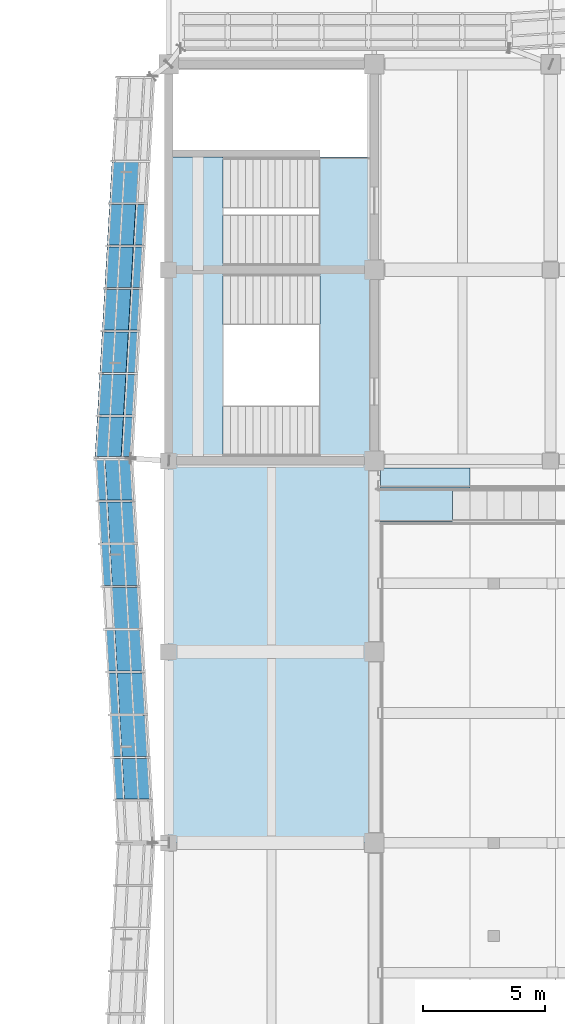
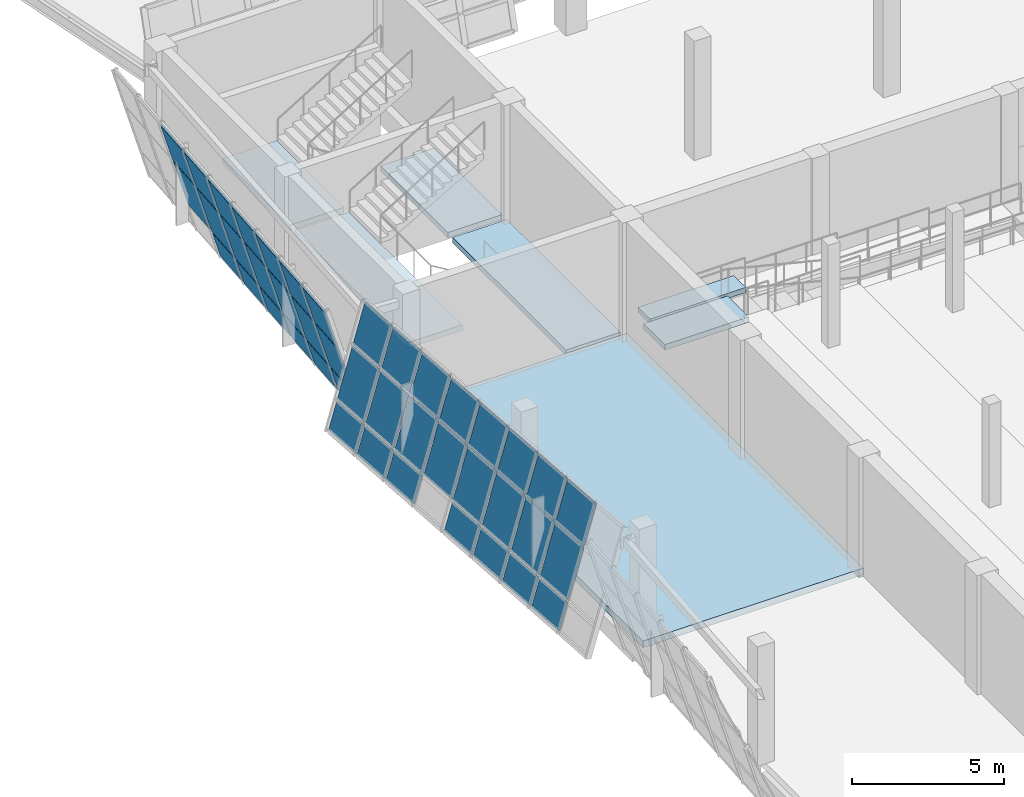
# One storey, part 53 of 79: 43 plates, 7 slabs, 4 elements without a shape of their own.
"""IFC4 building model written with IfcOpenShell, lengths in metres."""

import ifcopenshell
import ifcopenshell.guid

model = None  # the IFC model being written
_history = None  # IfcOwnerHistory: only IFC2X3 demands one
_inside = {}  # id of a spatial element -> (the spatial element, [elements in it])
_under = {}  # id of a project, library or spatial element -> (it, [spatial elements below it])
_declared = {}  # id of a project -> (the project, [libraries it declares])
_typed = {}  # id of a type object -> (the type object, [elements of that type])
_made_of = {}  # id of a material, layer set ... -> (it, [elements and type objects made of it])


def new_model(schema):
    """Start an empty IFC model of exactly this schema.

    Asked for "IFC4X3", IfcOpenShell would pick the latest addendum, in which some entities
    have other attributes; the version numbers below select the first issue.
    IFC2X3 requires an IfcOwnerHistory on every rooted entity: one is made here for all.
    """
    global model, _history
    if schema == "IFC4X3":
        model = ifcopenshell.file(schema_version=(4, 3, 0, 0))
    else:
        model = ifcopenshell.file(schema=schema)
    _inside.clear()
    _under.clear()
    _declared.clear()
    _typed.clear()
    _made_of.clear()
    _history = None
    if model.schema == "IFC2X3":
        org = make("IfcOrganization", Name="unknown")
        user = make(
            "IfcPersonAndOrganization",
            ThePerson=make("IfcPerson", FamilyName="unknown"),
            TheOrganization=org,
        )
        app = make(
            "IfcApplication",
            ApplicationDeveloper=org,
            Version="unknown",
            ApplicationFullName="unknown",
            ApplicationIdentifier="unknown",
        )
        _history = make(
            "IfcOwnerHistory",
            OwningUser=user,
            OwningApplication=app,
            ChangeAction="ADDED",
            CreationDate=0,
        )
    return model


def make(cls, **values):
    """One entity of the class cls with the attributes given. An attribute that is None is left unset."""
    return model.create_entity(
        cls, **{name: value for name, value in values.items() if value is not None}
    )


def rooted(cls, **values):
    """An entity with a GlobalId (a new one), such as an element, a storey or a relation."""
    return make(cls, GlobalId=ifcopenshell.guid.new(), OwnerHistory=_history, **values)


def si_unit(unit_type, name, prefix=None):
    """IfcSIUnit, for example si_unit("LENGTHUNIT", "METRE", prefix="MILLI")."""
    return make("IfcSIUnit", UnitType=unit_type, Prefix=prefix, Name=name)


def assignment(units):
    """IfcUnitAssignment: the units of a project."""
    return None if units is None else make("IfcUnitAssignment", Units=units)


def point(xyz):
    """IfcCartesianPoint."""
    return None if xyz is None else make("IfcCartesianPoint", Coordinates=xyz)


def direction(xyz):
    """IfcDirection."""
    return None if xyz is None else make("IfcDirection", DirectionRatios=xyz)


def frame(location, z_axis=None, x_axis=None):
    """IfcAxis2Placement3D, a coordinate frame: its origin and axes. An axis left out is left unset."""
    return make(
        "IfcAxis2Placement3D",
        Location=point(location),
        Axis=direction(z_axis),
        RefDirection=direction(x_axis),
    )


def origin():
    """The frame at (0, 0, 0) with its axes left unset."""
    return frame((0.0, 0.0, 0.0))


def place(relative_to, where):
    """IfcLocalPlacement: puts the frame where relative to a parent placement (None: the world)."""
    return make(
        "IfcLocalPlacement", PlacementRelTo=relative_to, RelativePlacement=where
    )


def context(
    kind, dimensions, precision=None, world=None, true_north=None, identifier=None
):
    """IfcGeometricRepresentationContext, for example the 3D "Model" context."""
    return make(
        "IfcGeometricRepresentationContext",
        ContextIdentifier=identifier,
        ContextType=kind,
        CoordinateSpaceDimension=dimensions,
        Precision=precision,
        WorldCoordinateSystem=world,
        TrueNorth=true_north,
    )


def subcontext(parent, identifier, kind, view, scale=None):
    """IfcGeometricRepresentationSubContext, for example "Body" below "Model"."""
    return make(
        "IfcGeometricRepresentationSubContext",
        ContextIdentifier=identifier,
        ContextType=kind,
        ParentContext=parent,
        TargetScale=scale,
        TargetView=view,
    )


def project(units=None, contexts=None):
    """IfcProject with its units and contexts."""
    return rooted(
        "IfcProject",
        Name="project",
        RepresentationContexts=contexts,
        UnitsInContext=assignment(units),
    )


def spatial(cls, under=None, at=None, **own):
    """A site, building, storey or space (cls), placed at a placement, below another one or the project."""
    s = rooted(cls, ObjectPlacement=at, **own)
    if under is not None:
        _under.setdefault(under.id(), (under, []))[1].append(s)
    return s


def polyline(points):
    """IfcPolyline through the points."""
    return make("IfcPolyline", Points=[point(p) for p in points])


def outline(outer, holes=None, kind="AREA"):
    """IfcArbitraryClosedProfileDef: a profile drawn as a closed curve; with holes, ...WithVoids."""
    if holes is None:
        return make("IfcArbitraryClosedProfileDef", ProfileType=kind, OuterCurve=outer)
    return make(
        "IfcArbitraryProfileDefWithVoids",
        ProfileType=kind,
        OuterCurve=outer,
        InnerCurves=holes,
    )


def extrude(swept, where, along, depth):
    """IfcExtrudedAreaSolid: the profile swept, set in the frame where, extruded along a direction by depth."""
    return make(
        "IfcExtrudedAreaSolid",
        SweptArea=swept,
        Position=where,
        ExtrudedDirection=direction(along),
        Depth=depth,
    )


def shape(context_of_items, identifier, shape_type, items):
    """IfcShapeRepresentation: the items that make up one representation, for example the "Body"."""
    return make(
        "IfcShapeRepresentation",
        ContextOfItems=context_of_items,
        RepresentationIdentifier=identifier,
        RepresentationType=shape_type,
        Items=items,
    )


def material(Name=None, Category=None):
    """IfcMaterial."""
    return make("IfcMaterial", Name=Name, Category=Category)


def layer(
    of_material, thickness, ventilated=None, Name=None, Category=None, Priority=None
):
    """IfcMaterialLayer: one layer of a wall or slab, of a material (None: an air gap)."""
    return make(
        "IfcMaterialLayer",
        Material=of_material,
        LayerThickness=thickness,
        IsVentilated=ventilated,
        Name=Name,
        Category=Category,
        Priority=Priority,
    )


def layer_set(layers, Name=None):
    """IfcMaterialLayerSet."""
    return make("IfcMaterialLayerSet", MaterialLayers=layers, LayerSetName=Name)


def made_of(thing, what):
    """Note that an element or type object is made of a material, layer set ...; save() writes the relation."""
    if what is not None:
        _made_of.setdefault(what.id(), (what, []))[1].append(thing)
    return thing


def type_object(cls, material=None, **own):
    """A type object (cls), such as IfcWallType, which elements share."""
    return made_of(rooted(cls, **own), material)


def element(
    cls,
    number,
    at=None,
    inside=None,
    cuts=None,
    type_object=None,
    material=None,
    context=None,
    identifier="Body",
    shape_type=None,
    held_by="IfcProductDefinitionShape",
    body=None,
    shapes=None,
    **own,
):
    """One element of the class cls, such as IfcWall. Its Tag is "e" and its number.

    at: its placement. inside: the storey or other place that contains it. cuts: it is an
    opening in that element (IfcRelVoidsElement). A single representation is given by context,
    identifier, shape_type and body (its items); several are given by shapes. held_by: the class
    of the entity that holds the representations. save() writes the other relations.
    """
    e = rooted(cls, Tag="e%d" % number, ObjectPlacement=at, **own)
    if body is not None:
        shapes = [shape(context, identifier, shape_type, body)]
    if shapes is not None:
        e.Representation = make(held_by, Representations=shapes)
    if inside is not None:
        _inside.setdefault(inside.id(), (inside, []))[1].append(e)
    if cuts is not None:
        rooted(
            "IfcRelVoidsElement", RelatingBuildingElement=cuts, RelatedOpeningElement=e
        )
    if type_object is not None:
        _typed.setdefault(type_object.id(), (type_object, []))[1].append(e)
    return made_of(e, material)


def aggregate(whole, parts):
    """IfcRelAggregates: a whole, such as a stair, and the parts it consists of."""
    return rooted("IfcRelAggregates", RelatingObject=whole, RelatedObjects=parts)


def save(model, path):
    """Write the relations noted so far, then the file.

    IfcRelAggregates (storeys below a building ...), IfcRelContainedInSpatialStructure (elements
    in a storey), IfcRelDefinesByType, IfcRelAssociatesMaterial and IfcRelDeclares: one each for
    every whole, place, type object, material and project.
    """
    for whole, parts in _under.values():
        aggregate(whole, parts)
    for where, things in _inside.values():
        rooted(
            "IfcRelContainedInSpatialStructure",
            RelatedElements=things,
            RelatingStructure=where,
        )
    for kind, things in _typed.values():
        rooted("IfcRelDefinesByType", RelatedObjects=things, RelatingType=kind)
    for what, things in _made_of.values():
        rooted("IfcRelAssociatesMaterial", RelatedObjects=things, RelatingMaterial=what)
    for by, libraries in _declared.values():
        rooted("IfcRelDeclares", RelatingContext=by, RelatedDefinitions=libraries)
    model.write(path)


model = new_model("IFC4")

# Units and contexts
model_context = context("Model", 3, precision=1e-05, world=origin(), true_north=direction((0.0, 1.0)))
body_context = subcontext(model_context, "Body", "Model", "MODEL_VIEW")
ifc_project = project(units=[si_unit("LENGTHUNIT", "METRE"), si_unit("AREAUNIT", "SQUARE_METRE"), si_unit("VOLUMEUNIT", "CUBIC_METRE"), si_unit("PLANEANGLEUNIT", "RADIAN"), si_unit("MASSUNIT", "GRAM", prefix="KILO")], contexts=[model_context])

# Site, building, storey
site_placement = place(None, origin())
site = spatial("IfcSite", under=ifc_project, at=site_placement, CompositionType="ELEMENT")
building_placement = place(site_placement, origin())
building = spatial("IfcBuilding", under=site, at=building_placement, Name="Pellamere Symphony Hall", CompositionType="ELEMENT")
storey_placement = place(building_placement, frame((0.0, 0.0, 10.199951171875)))
storey = spatial("IfcBuildingStorey", under=building, at=storey_placement, Name="L02", CompositionType="ELEMENT", Elevation=10.199951171875)

# Curtain wall, plates
ifc_material_1 = material(Name="Thermally Broken Anodised Aluminium 6063-T6 Curtain Wall", Category="aluminium")
curtain_wall_type = type_object("IfcCurtainWallType", Name="Curtain Wall CW-01 (Tilted Faceted Crystal Low-Iron Curtain Wall)", PredefinedType="NOTDEFINED", material=ifc_material_1)
curtain_wall_1_placement = place(storey_placement, origin())
curtain_wall_1 = element("IfcCurtainWall", 1, at=curtain_wall_1_placement, inside=storey, type_object=curtain_wall_type, Name="Crystal Faceted Curtain Wall CW-CR16 (L02)", PredefinedType="NOTDEFINED")
ifc_material_2 = material(Name="Triple Laminated Acoustic Crystal Glazing 42mm", Category="glass")
ifc_layer_1 = layer(ifc_material_2, 0.0419921875, Name="Triple Laminated Acoustic Crystal Glazing 42mm")
ifc_layer_set_1 = layer_set([ifc_layer_1], Name="Triple Laminated Acoustic Crystal Glazing 42mm")
plate_type_1 = type_object("IfcPlateType", Name="Facade Panel GL-02 42mm", PredefinedType="CURTAIN_PANEL", material=ifc_layer_set_1)
plate_1_placement = place(storey_placement, frame((47.453857421875, 77.425048828125, 0.072021484375), z_axis=(-0.957370543914, -0.054850099973, 0.283607313336), x_axis=(0.057198647566, -0.998362817175, 0.0)))
plate_1 = element("IfcPlate", 2, at=plate_1_placement, type_object=plate_type_1, Name="CW1-044 crystal glass panel 1.1", PredefinedType="CURTAIN_PANEL", context=body_context, shape_type="SweptSolid", body=[
    extrude(outline(polyline([(0.0, 0.0), (1.6347564733470132, -3.469446951953614e-18), (1.652449512034991, 1.0888991004708903), (0.01769303868797779, 1.0888991004708903), (0.0, 0.0)])), origin(), (0.0, 0.0, -1.0), 0.0419921875),
])
plate_2_placement = place(storey_placement, frame((47.784423828125, 77.425048828125, 1.18798828125), z_axis=(-0.957368086249, -0.054849959167, 0.283615636753), x_axis=(0.057198647566, -0.998362817175, 0.0)))
plate_2 = element("IfcPlate", 3, at=plate_2_placement, type_object=plate_type_1, Name="CW1-044 crystal glass panel 1.2", PredefinedType="CURTAIN_PANEL", context=body_context, shape_type="SweptSolid", body=[
    extrude(outline(polyline([(0.0, 0.0), (1.6347564733470132, 0.0), (1.6676987608489386, 2.027338273597459), (0.032942287501925495, 2.027338273597459), (0.0, 0.0)])), origin(), (0.0, 0.0, -1.0), 0.0419921875),
])
plate_3_placement = place(storey_placement, frame((48.381591796875, 77.425048828125, 3.2041015625), z_axis=(-0.957374837735, -0.054850345976, 0.283592770742), x_axis=(0.057198647566, -0.998362817175, 0.0)))
plate_3 = element("IfcPlate", 4, at=plate_3_placement, type_object=plate_type_1, Name="CW1-044 crystal glass panel 1.3", PredefinedType="CURTAIN_PANEL", context=body_context, shape_type="SweptSolid", body=[
    extrude(outline(polyline([(0.0, 0.0), (1.6347564733470132, -3.469446951953614e-18), (1.6605768589303367, 1.5891694414408748), (0.025820385583323543, 1.5891694414408748), (0.0, 0.0)])), origin(), (0.0, 0.0, -1.0), 0.0419921875),
])
plate_4_placement = place(storey_placement, frame((47.5517578125, 75.718017578125, 0.072021484375), z_axis=(-0.95742957948, -0.05488628183, 0.283400946369), x_axis=(0.057232737422, -0.998360863499, 0.0)))
plate_4 = element("IfcPlate", 5, at=plate_4_placement, type_object=plate_type_1, Name="CW1-044 crystal glass panel 2.1", PredefinedType="CURTAIN_PANEL", context=body_context, shape_type="SweptSolid", body=[
    extrude(outline(polyline([(0.0, 0.0), (1.6721745160346768, 0.0), (1.6898641267710717, 1.0888298277192388), (0.017689610736394717, 1.0888298277192388), (0.0, 0.0)])), origin(), (0.0, 0.0, -1.0), 0.0419921875),
])
plate_5_placement = place(storey_placement, frame((47.88232421875, 75.718017578125, 1.18798828125), z_axis=(-0.957399002665, -0.054884528962, 0.283504564647), x_axis=(0.057232737422, -0.998360863499, 0.0)))
plate_5 = element("IfcPlate", 6, at=plate_5_placement, type_object=plate_type_1, Name="CW1-044 crystal glass panel 2.2", PredefinedType="CURTAIN_PANEL", context=body_context, shape_type="SweptSolid", body=[
    extrude(outline(polyline([(0.0, 0.0), (1.6721745160346768, 0.0), (1.7051224639939333, 2.0272688394771072), (0.03294794795925651, 2.0272688394771072), (0.0, 0.0)])), origin(), (0.0, 0.0, -1.0), 0.0419921875),
])
plate_6_placement = place(storey_placement, frame((48.4794921875, 75.718017578125, 3.2041015625), z_axis=(-0.957373114942, -0.054883044905, 0.283592260418), x_axis=(0.057232737422, -0.998360863499, 0.0)))
plate_6 = element("IfcPlate", 7, at=plate_6_placement, type_object=plate_type_1, Name="CW1-044 crystal glass panel 2.3", PredefinedType="CURTAIN_PANEL", context=body_context, shape_type="SweptSolid", body=[
    extrude(outline(polyline([(0.0, 0.0), (1.6721745160346768, 3.469446951953614e-18), (1.6980102903250354, 1.5891691913348909), (0.025835774290358476, 1.5891691913348909), (0.0, 0.0)])), origin(), (0.0, 0.0, -1.0), 0.0419921875),
])
plate_7_placement = place(storey_placement, frame((47.651611328125, 73.9736328125, 0.072021484375), z_axis=(-0.957368821144, -0.054882798755, 0.28360680299), x_axis=(0.057232737422, -0.998360863499, 0.0)))
plate_7 = element("IfcPlate", 8, at=plate_7_placement, type_object=plate_type_1, Name="CW1-044 crystal glass panel 3.1", PredefinedType="CURTAIN_PANEL", context=body_context, shape_type="SweptSolid", body=[
    extrude(outline(polyline([(0.0, 0.0), (1.6721745160346768, 3.469446951953614e-18), (1.6898780996073564, 1.0888989290806625), (0.01770358357267939, 1.0888989290806625), (0.0, 0.0)])), origin(), (0.0, 0.0, -1.0), 0.0419921875),
])
plate_8_placement = place(storey_placement, frame((47.982177734375, 73.9736328125, 1.18798828125), z_axis=(-0.957366363492, -0.054882657866, 0.283615126394), x_axis=(0.057232737422, -0.998360863499, 0.0)))
plate_8 = element("IfcPlate", 9, at=plate_8_placement, type_object=plate_type_1, Name="CW1-044 crystal glass panel 3.2", PredefinedType="CURTAIN_PANEL", context=body_context, shape_type="SweptSolid", body=[
    extrude(outline(polyline([(0.0, 0.0), (1.6721745160346768, 0.0), (1.705136436830218, 2.027337954480322), (0.03296192079554119, 2.027337954480322), (0.0, 0.0)])), origin(), (0.0, 0.0, -1.0), 0.0419921875),
])
plate_9_placement = place(storey_placement, frame((48.579345703125, 73.9736328125, 3.2041015625), z_axis=(-0.957373114942, -0.054883044905, 0.283592260418), x_axis=(0.057232737422, -0.998360863499, 0.0)))
plate_9 = element("IfcPlate", 10, at=plate_9_placement, type_object=plate_type_1, Name="CW1-044 crystal glass panel 3.3", PredefinedType="CURTAIN_PANEL", context=body_context, shape_type="SweptSolid", body=[
    extrude(outline(polyline([(0.0, 0.0), (1.6721745160346768, 3.469446951953614e-18), (1.6980102903250354, 1.5891691913348909), (0.025835774290358476, 1.5891691913348909), (0.0, 0.0)])), origin(), (0.0, 0.0, -1.0), 0.0419921875),
])
plate_10_placement = place(storey_placement, frame((48.082275390625, 72.229248046875, 1.18798828125), z_axis=(-0.957366785115, -0.054874657079, 0.283615251298), x_axis=(0.057224396245, -0.998361341637, 0.0)))
plate_10 = element("IfcPlate", 11, at=plate_10_placement, type_object=plate_type_1, Name="CW1-044 crystal glass panel 4.2", PredefinedType="CURTAIN_PANEL", context=body_context, shape_type="SweptSolid", body=[
    extrude(outline(polyline([(0.0, 0.0), (1.6724182565382377, 3.469446951953614e-18), (1.7053753734187647, 2.0273380325801393), (0.03295711688052672, 2.0273380325801393), (0.0, 0.0)])), origin(), (0.0, 0.0, -1.0), 0.0419921875),
])
plate_11_placement = place(storey_placement, frame((48.679443359375, 72.229248046875, 3.2041015625), z_axis=(-0.957373536574, -0.054875044062, 0.283592385313), x_axis=(0.057224396245, -0.998361341637, 0.0)))
plate_11 = element("IfcPlate", 12, at=plate_11_placement, type_object=plate_type_1, Name="CW1-044 crystal glass panel 4.3", PredefinedType="CURTAIN_PANEL", context=body_context, shape_type="SweptSolid", body=[
    extrude(outline(polyline([(0.0, 0.0), (1.6724182565382377, 0.0), (1.6982502654878324, 1.5891692525451158), (0.025832008949594705, 1.5891692525451158), (0.0, 0.0)])), origin(), (0.0, 0.0, -1.0), 0.0419921875),
])
plate_12_placement = place(storey_placement, frame((47.8515625, 70.48486328125, 0.072021484375), z_axis=(-0.95736924277, -0.054874797948, 0.283606927891), x_axis=(0.057224396245, -0.998361341637, 0.0)))
plate_12 = element("IfcPlate", 13, at=plate_12_placement, type_object=plate_type_1, Name="CW1-044 crystal glass panel 5.1", PredefinedType="CURTAIN_PANEL", context=body_context, shape_type="SweptSolid", body=[
    extrude(outline(polyline([(0.0, 0.0), (1.6724182565382377, -3.469446951953614e-18), (1.6901192599666512, 1.0888989710262178), (0.01770100342841346, 1.0888989710262178), (0.0, 0.0)])), origin(), (0.0, 0.0, -1.0), 0.0419921875),
])
plate_13_placement = place(storey_placement, frame((48.18212890625, 70.48486328125, 1.18798828125), z_axis=(-0.957366785115, -0.054874657079, 0.283615251298), x_axis=(0.057224396245, -0.998361341637, 0.0)))
plate_13 = element("IfcPlate", 14, at=plate_13_placement, type_object=plate_type_1, Name="CW1-044 crystal glass panel 5.2", PredefinedType="CURTAIN_PANEL", context=body_context, shape_type="SweptSolid", body=[
    extrude(outline(polyline([(0.0, 0.0), (1.6724182565382377, 3.469446951953614e-18), (1.7053753734187647, 2.0273380325801393), (0.03295711688052672, 2.0273380325801393), (0.0, 0.0)])), origin(), (0.0, 0.0, -1.0), 0.0419921875),
])
plate_14_placement = place(storey_placement, frame((48.779296875, 70.48486328125, 3.2041015625), z_axis=(-0.957331885834, -0.054872656711, 0.283733416981), x_axis=(0.057224396245, -0.998361341637, 0.0)))
plate_14 = element("IfcPlate", 15, at=plate_14_placement, type_object=plate_type_1, Name="CW1-044 crystal glass panel 5.3", PredefinedType="CURTAIN_PANEL", context=body_context, shape_type="SweptSolid", body=[
    extrude(outline(polyline([(0.0, 0.0), (1.6724182565382377, 0.0), (1.6982642362876972, 1.5892383927004117), (0.025845979749459277, 1.5892383927004117), (0.0, 0.0)])), origin(), (0.0, 0.0, -1.0), 0.0419921875),
])
plate_15_placement = place(storey_placement, frame((47.95166015625, 68.740234375, 0.072021484375), z_axis=(-0.957368821144, -0.054882798755, 0.28360680299), x_axis=(0.057232737422, -0.998360863499, 0.0)))
plate_15 = element("IfcPlate", 16, at=plate_15_placement, type_object=plate_type_1, Name="CW1-044 crystal glass panel 6.1", PredefinedType="CURTAIN_PANEL", context=body_context, shape_type="SweptSolid", body=[
    extrude(outline(polyline([(0.0, 0.0), (1.6721745160346768, 3.469446951953614e-18), (1.6898780996073564, 1.0888989290806625), (0.01770358357267939, 1.0888989290806625), (0.0, 0.0)])), origin(), (0.0, 0.0, -1.0), 0.0419921875),
])
plate_16_placement = place(storey_placement, frame((48.2822265625, 68.740234375, 1.18798828125), z_axis=(-0.957366363492, -0.054882657866, 0.283615126394), x_axis=(0.057232737422, -0.998360863499, 0.0)))
plate_16 = element("IfcPlate", 17, at=plate_16_placement, type_object=plate_type_1, Name="CW1-044 crystal glass panel 6.2", PredefinedType="CURTAIN_PANEL", context=body_context, shape_type="SweptSolid", body=[
    extrude(outline(polyline([(0.0, 0.0), (1.6721745160346768, 0.0), (1.705136436830218, 2.027337954480322), (0.03296192079554119, 2.027337954480322), (0.0, 0.0)])), origin(), (0.0, 0.0, -1.0), 0.0419921875),
])
plate_17_placement = place(storey_placement, frame((48.87939453125, 68.740234375, 3.2041015625), z_axis=(-0.957373114942, -0.054883044905, 0.283592260418), x_axis=(0.057232737422, -0.998360863499, 0.0)))
plate_17 = element("IfcPlate", 18, at=plate_17_placement, type_object=plate_type_1, Name="CW1-044 crystal glass panel 6.3", PredefinedType="CURTAIN_PANEL", context=body_context, shape_type="SweptSolid", body=[
    extrude(outline(polyline([(0.0, 0.0), (1.6721745160346768, 3.469446951953614e-18), (1.6980102903250354, 1.5891691913348909), (0.025835774290358476, 1.5891691913348909), (0.0, 0.0)])), origin(), (0.0, 0.0, -1.0), 0.0419921875),
])
plate_18_placement = place(storey_placement, frame((48.0517578125, 66.995849609375, 0.072021484375), z_axis=(-0.95742957948, -0.05488628183, 0.283400946369), x_axis=(0.057232737422, -0.998360863499, 0.0)))
plate_18 = element("IfcPlate", 19, at=plate_18_placement, type_object=plate_type_1, Name="CW1-044 crystal glass panel 7.1", PredefinedType="CURTAIN_PANEL", context=body_context, shape_type="SweptSolid", body=[
    extrude(outline(polyline([(0.0, 0.0), (1.6721745160346768, 0.0), (1.6898641267710717, 1.0888298277192388), (0.017689610736394717, 1.0888298277192388), (0.0, 0.0)])), origin(), (0.0, 0.0, -1.0), 0.0419921875),
])
plate_19_placement = place(storey_placement, frame((48.38232421875, 66.995849609375, 1.18798828125), z_axis=(-0.957399002665, -0.054884528962, 0.283504564647), x_axis=(0.057232737422, -0.998360863499, 0.0)))
plate_19 = element("IfcPlate", 20, at=plate_19_placement, type_object=plate_type_1, Name="CW1-044 crystal glass panel 7.2", PredefinedType="CURTAIN_PANEL", context=body_context, shape_type="SweptSolid", body=[
    extrude(outline(polyline([(0.0, 0.0), (1.6721745160346768, 0.0), (1.7051224639939333, 2.0272688394771072), (0.03294794795925651, 2.0272688394771072), (0.0, 0.0)])), origin(), (0.0, 0.0, -1.0), 0.0419921875),
])
plate_20_placement = place(storey_placement, frame((48.9794921875, 66.995849609375, 3.2041015625), z_axis=(-0.957373114942, -0.054883044905, 0.283592260418), x_axis=(0.057232737422, -0.998360863499, 0.0)))
plate_20 = element("IfcPlate", 21, at=plate_20_placement, type_object=plate_type_1, Name="CW1-044 crystal glass panel 7.3", PredefinedType="CURTAIN_PANEL", context=body_context, shape_type="SweptSolid", body=[
    extrude(outline(polyline([(0.0, 0.0), (1.6721745160346768, 3.469446951953614e-18), (1.6980102903250354, 1.5891691913348909), (0.025835774290358476, 1.5891691913348909), (0.0, 0.0)])), origin(), (0.0, 0.0, -1.0), 0.0419921875),
])
plate_21_placement = place(storey_placement, frame((48.151611328125, 65.25146484375, 0.072021484375), z_axis=(-0.95736924277, -0.054874797948, 0.283606927891), x_axis=(0.057224396245, -0.998361341637, 0.0)))
plate_21 = element("IfcPlate", 22, at=plate_21_placement, type_object=plate_type_1, Name="CW1-044 crystal glass panel 8.1", PredefinedType="CURTAIN_PANEL", context=body_context, shape_type="SweptSolid", body=[
    extrude(outline(polyline([(0.0, 0.0), (1.6724182565382377, -3.469446951953614e-18), (1.6901192599666512, 1.0888989710262178), (0.01770100342841346, 1.0888989710262178), (0.0, 0.0)])), origin(), (0.0, 0.0, -1.0), 0.0419921875),
])
plate_22_placement = place(storey_placement, frame((48.482177734375, 65.25146484375, 1.18798828125), z_axis=(-0.957366785115, -0.054874657079, 0.283615251298), x_axis=(0.057224396245, -0.998361341637, 0.0)))
plate_22 = element("IfcPlate", 23, at=plate_22_placement, type_object=plate_type_1, Name="CW1-044 crystal glass panel 8.2", PredefinedType="CURTAIN_PANEL", context=body_context, shape_type="SweptSolid", body=[
    extrude(outline(polyline([(0.0, 0.0), (1.6724182565382377, 3.469446951953614e-18), (1.7053753734187647, 2.0273380325801393), (0.03295711688052672, 2.0273380325801393), (0.0, 0.0)])), origin(), (0.0, 0.0, -1.0), 0.0419921875),
])
plate_23_placement = place(storey_placement, frame((49.079345703125, 65.25146484375, 3.2041015625), z_axis=(-0.957373536574, -0.054875044062, 0.283592385313), x_axis=(0.057224396245, -0.998361341637, 0.0)))
plate_23 = element("IfcPlate", 24, at=plate_23_placement, type_object=plate_type_1, Name="CW1-044 crystal glass panel 8.3", PredefinedType="CURTAIN_PANEL", context=body_context, shape_type="SweptSolid", body=[
    extrude(outline(polyline([(0.0, 0.0), (1.6724182565382377, 0.0), (1.6982502654878324, 1.5891692525451158), (0.025832008949594705, 1.5891692525451158), (0.0, 0.0)])), origin(), (0.0, 0.0, -1.0), 0.0419921875),
])
aggregate(curtain_wall_1, [plate_1, plate_2, plate_3, plate_4, plate_5, plate_6, plate_7, plate_8, plate_9, plate_10, plate_11, plate_12, plate_13, plate_14, plate_15, plate_16, plate_17, plate_18, plate_19, plate_20, plate_21, plate_22, plate_23])

curtain_wall_2_placement = place(storey_placement, origin())
curtain_wall_2 = element("IfcCurtainWall", 25, at=curtain_wall_2_placement, inside=storey, type_object=curtain_wall_type, Name="Crystal Faceted Curtain Wall CW-CR15 (L02)", PredefinedType="NOTDEFINED")
ifc_material_3 = material(Name="Vacuum-Insulated Bronze-Anodised Aluminium Spandrel Panel", Category="aluminium")
ifc_layer_2 = layer(ifc_material_3, 0.06494140625, Name="Vacuum-Insulated Bronze-Anodised Aluminium Spandrel Panel")
ifc_layer_set_2 = layer_set([ifc_layer_2], Name="Vacuum-Insulated Bronze-Anodised Aluminium Spandrel Panel")
plate_type_2 = type_object("IfcPlateType", Name="Facade Panel SP-01 65mm", PredefinedType="CURTAIN_PANEL", material=ifc_layer_set_2)
plate_24_placement = place(storey_placement, frame((49.196044921875, 89.595947265625, 1.18798828125), z_axis=(0.957347197893, -0.055245120208, 0.283609448679), x_axis=(-0.057610619545, -0.998339129012, 0.0)))
plate_24 = element("IfcPlate", 26, at=plate_24_placement, type_object=plate_type_2, Name="CW1-039 crystal glass panel 3.2", PredefinedType="CURTAIN_PANEL", context=body_context, shape_type="SweptSolid", body=[
    extrude(outline(polyline([(0.0, 0.0), (1.6612063149993754, -6.938893903907228e-18), (1.6943858685901516, -2.0273344043651265), (0.03317955359077607, -2.0273344043651265), (0.0, 0.0)])), origin(), (0.0, 0.0, -1.0), 0.06494140625),
])
plate_25_placement = place(storey_placement, frame((48.598876953125, 89.595947265625, 3.2041015625), z_axis=(0.957353948937, -0.055245509787, 0.28358658308), x_axis=(-0.057610619545, -0.998339129012, 0.0)))
plate_25 = element("IfcPlate", 27, at=plate_25_placement, type_object=plate_type_2, Name="CW1-039 crystal glass panel 3.3", PredefinedType="CURTAIN_PANEL", context=body_context, shape_type="SweptSolid", body=[
    extrude(outline(polyline([(0.0, 0.0), (1.6612063149993754, 0.0), (1.68721267133229, -1.5891664089551663), (0.02600635633291435, -1.5891664089551663), (0.0, 0.0)])), origin(), (0.0, 0.0, -1.0), 0.06494140625),
])
plate_26_placement = place(storey_placement, frame((49.426513671875, 87.862548828125, 0.072021484375), z_axis=(0.957349655397, -0.055245262022, 0.283601125412), x_axis=(-0.057610619545, -0.998339129012, 0.0)))
plate_26 = element("IfcPlate", 28, at=plate_26_placement, type_object=plate_type_2, Name="CW1-039 crystal glass panel 4.1", PredefinedType="CURTAIN_PANEL", context=body_context, shape_type="SweptSolid", body=[
    extrude(outline(polyline([(0.0, 0.0), (1.6612063149993754, -3.469446951953614e-18), (1.67902678740273, -1.0888970223981924), (0.017820472403354506, -1.0888970223981924), (0.0, 0.0)])), origin(), (0.0, 0.0, -1.0), 0.06494140625),
])
plate_27_placement = place(storey_placement, frame((49.095947265625, 87.862548828125, 1.18798828125), z_axis=(0.957347197893, -0.055245120208, 0.283609448679), x_axis=(-0.057610619545, -0.998339129012, 0.0)))
plate_27 = element("IfcPlate", 29, at=plate_27_placement, type_object=plate_type_2, Name="CW1-039 crystal glass panel 4.2", PredefinedType="CURTAIN_PANEL", context=body_context, shape_type="SweptSolid", body=[
    extrude(outline(polyline([(0.0, 0.0), (1.6612063149993754, -6.938893903907228e-18), (1.6943858685901516, -2.0273344043651265), (0.03317955359077607, -2.0273344043651265), (0.0, 0.0)])), origin(), (0.0, 0.0, -1.0), 0.06494140625),
])
plate_28_placement = place(storey_placement, frame((48.498779296875, 87.862548828125, 3.2041015625), z_axis=(0.957353948937, -0.055245509787, 0.28358658308), x_axis=(-0.057610619545, -0.998339129012, 0.0)))
plate_28 = element("IfcPlate", 30, at=plate_28_placement, type_object=plate_type_2, Name="CW1-039 crystal glass panel 4.3", PredefinedType="CURTAIN_PANEL", context=body_context, shape_type="SweptSolid", body=[
    extrude(outline(polyline([(0.0, 0.0), (1.6612063149993754, 0.0), (1.68721267133229, -1.5891664089551663), (0.02600635633291435, -1.5891664089551663), (0.0, 0.0)])), origin(), (0.0, 0.0, -1.0), 0.06494140625),
])
plate_29_placement = place(storey_placement, frame((49.32666015625, 86.129150390625, 0.072021484375), z_axis=(0.957349655397, -0.055245262022, 0.283601125412), x_axis=(-0.057610619545, -0.998339129012, 0.0)))
plate_29 = element("IfcPlate", 31, at=plate_29_placement, type_object=plate_type_2, Name="CW1-039 crystal glass panel 5.1", PredefinedType="CURTAIN_PANEL", context=body_context, shape_type="SweptSolid", body=[
    extrude(outline(polyline([(0.0, 0.0), (1.6612063149993754, -3.469446951953614e-18), (1.67902678740273, -1.0888970223981924), (0.017820472403354506, -1.0888970223981924), (0.0, 0.0)])), origin(), (0.0, 0.0, -1.0), 0.06494140625),
])
plate_30_placement = place(storey_placement, frame((48.995849609375, 86.129150390625, 1.18798828125), z_axis=(0.957367242492, -0.055175809721, 0.283555273316), x_axis=(-0.057531491242, -0.99834369188, -1.9948326e-05)))
plate_30 = element("IfcPlate", 32, at=plate_30_placement, type_object=plate_type_2, Name="CW1-039 crystal glass panel 5.2", PredefinedType="CURTAIN_PANEL", context=body_context, shape_type="SweptSolid", body=[
    extrude(outline(polyline([(0.0, 0.0), (1.6611922636766812, 0.0), (1.694287463706593, -2.027335779780024), (0.03308115425568296, -2.027266666811499), (0.0, 0.0)])), origin(), (0.0, 0.0, -1.0), 0.06494140625),
])
plate_31_placement = place(storey_placement, frame((48.398681640625, 86.129150390625, 3.2041015625), z_axis=(0.957336851306, -0.05517405819, 0.283658203539), x_axis=(-0.057531486966, -0.998343692127, -1.9954933e-05)))
plate_31 = element("IfcPlate", 33, at=plate_31_placement, type_object=plate_type_2, Name="CW1-039 crystal glass panel 5.3", PredefinedType="CURTAIN_PANEL", context=body_context, shape_type="SweptSolid", body=[
    extrude(outline(polyline([(0.0, 0.0), (1.661192263676942, -3.469446951953614e-18), (1.6871465342317957, -1.5892366235665916), (0.025940224781668787, -1.5891674855101419), (0.0, 0.0)])), origin(), (0.0, 0.0, -1.0), 0.06494140625),
])
plate_32_placement = place(storey_placement, frame((49.2265625, 84.39599609375, 0.072021484375), z_axis=(0.957349655397, -0.055245262022, 0.283601125412), x_axis=(-0.057610619545, -0.998339129012, 0.0)))
plate_32 = element("IfcPlate", 34, at=plate_32_placement, type_object=plate_type_2, Name="CW1-039 crystal glass panel 6.1", PredefinedType="CURTAIN_PANEL", context=body_context, shape_type="SweptSolid", body=[
    extrude(outline(polyline([(0.0, 0.0), (1.6612063149993754, -3.469446951953614e-18), (1.67902678740273, -1.0888970223981924), (0.017820472403354506, -1.0888970223981924), (0.0, 0.0)])), origin(), (0.0, 0.0, -1.0), 0.06494140625),
])
plate_33_placement = place(storey_placement, frame((48.89599609375, 84.39599609375, 1.18798828125), z_axis=(0.957347197893, -0.055245120208, 0.283609448679), x_axis=(-0.057610619545, -0.998339129012, 0.0)))
plate_33 = element("IfcPlate", 35, at=plate_33_placement, type_object=plate_type_2, Name="CW1-039 crystal glass panel 6.2", PredefinedType="CURTAIN_PANEL", context=body_context, shape_type="SweptSolid", body=[
    extrude(outline(polyline([(0.0, 0.0), (1.6612063149993754, -6.938893903907228e-18), (1.6943858685901516, -2.0273344043651265), (0.03317955359077607, -2.0273344043651265), (0.0, 0.0)])), origin(), (0.0, 0.0, -1.0), 0.06494140625),
])
plate_34_placement = place(storey_placement, frame((48.298828125, 84.39599609375, 3.2041015625), z_axis=(0.957353948937, -0.055245509787, 0.28358658308), x_axis=(-0.057610619545, -0.998339129012, 0.0)))
plate_34 = element("IfcPlate", 36, at=plate_34_placement, type_object=plate_type_2, Name="CW1-039 crystal glass panel 6.3", PredefinedType="CURTAIN_PANEL", context=body_context, shape_type="SweptSolid", body=[
    extrude(outline(polyline([(0.0, 0.0), (1.6612063149993754, 0.0), (1.68721267133229, -1.5891664089551663), (0.02600635633291435, -1.5891664089551663), (0.0, 0.0)])), origin(), (0.0, 0.0, -1.0), 0.06494140625),
])
plate_35_placement = place(storey_placement, frame((49.12646484375, 82.66259765625, 0.072021484375), z_axis=(0.957383762164, -0.055176761797, 0.283499306706), x_axis=(-0.057543266432, -0.998343013243, 1.9944564e-05)))
plate_35 = element("IfcPlate", 37, at=plate_35_placement, type_object=plate_type_2, Name="CW1-039 crystal glass panel 7.1", PredefinedType="CURTAIN_PANEL", context=body_context, shape_type="SweptSolid", body=[
    extrude(outline(polyline([(0.0, 0.0), (1.6612063108884592, 0.0), (1.6790127264650492, -1.0888279175173945), (0.017820464225621006, -1.0888970162604688), (0.0, 0.0)])), origin(), (0.0, 0.0, -1.0), 0.06494140625),
])
plate_36_placement = place(storey_placement, frame((48.7958984375, 82.66259765625, 1.18798828125), z_axis=(0.957379835106, -0.055247003586, 0.283498888758), x_axis=(-0.057610619545, -0.998339129012, 0.0)))
plate_36 = element("IfcPlate", 38, at=plate_36_placement, type_object=plate_type_2, Name="CW1-039 crystal glass panel 7.2", PredefinedType="CURTAIN_PANEL", context=body_context, shape_type="SweptSolid", body=[
    extrude(outline(polyline([(0.0, 0.0), (1.6612063149993754, 3.469446951953614e-18), (1.694371803497489, -2.0272652922501933), (0.03316548849811359, -2.0272652922501933), (0.0, 0.0)])), origin(), (0.0, 0.0, -1.0), 0.06494140625),
])
plate_37_placement = place(storey_placement, frame((48.19873046875, 82.66259765625, 3.2041015625), z_axis=(0.957353948937, -0.055245509787, 0.28358658308), x_axis=(-0.057610619545, -0.998339129012, 0.0)))
plate_37 = element("IfcPlate", 39, at=plate_37_placement, type_object=plate_type_2, Name="CW1-039 crystal glass panel 7.3", PredefinedType="CURTAIN_PANEL", context=body_context, shape_type="SweptSolid", body=[
    extrude(outline(polyline([(0.0, 0.0), (1.6612063149993754, 0.0), (1.68721267133229, -1.5891664089551663), (0.02600635633291435, -1.5891664089551663), (0.0, 0.0)])), origin(), (0.0, 0.0, -1.0), 0.06494140625),
])
plate_38_placement = place(storey_placement, frame((49.026611328125, 80.92919921875, 0.072021484375), z_axis=(0.957349655397, -0.055245262022, 0.283601125412), x_axis=(-0.057610619545, -0.998339129012, 0.0)))
plate_38 = element("IfcPlate", 40, at=plate_38_placement, type_object=plate_type_2, Name="CW1-039 crystal glass panel 8.1", PredefinedType="CURTAIN_PANEL", context=body_context, shape_type="SweptSolid", body=[
    extrude(outline(polyline([(0.0, 0.0), (1.6612063149993754, -3.469446951953614e-18), (1.67902678740273, -1.0888970223981924), (0.017820472403354506, -1.0888970223981924), (0.0, 0.0)])), origin(), (0.0, 0.0, -1.0), 0.06494140625),
])
plate_39_placement = place(storey_placement, frame((48.696044921875, 80.92919921875, 1.18798828125), z_axis=(0.957347197893, -0.055245120208, 0.283609448679), x_axis=(-0.057610619545, -0.998339129012, 0.0)))
plate_39 = element("IfcPlate", 41, at=plate_39_placement, type_object=plate_type_2, Name="CW1-039 crystal glass panel 8.2", PredefinedType="CURTAIN_PANEL", context=body_context, shape_type="SweptSolid", body=[
    extrude(outline(polyline([(0.0, 0.0), (1.6612063149993754, -6.938893903907228e-18), (1.6943858685901516, -2.0273344043651265), (0.03317955359077607, -2.0273344043651265), (0.0, 0.0)])), origin(), (0.0, 0.0, -1.0), 0.06494140625),
])
plate_40_placement = place(storey_placement, frame((48.098876953125, 80.92919921875, 3.2041015625), z_axis=(0.957353948937, -0.055245509787, 0.28358658308), x_axis=(-0.057610619545, -0.998339129012, 0.0)))
plate_40 = element("IfcPlate", 42, at=plate_40_placement, type_object=plate_type_2, Name="CW1-039 crystal glass panel 8.3", PredefinedType="CURTAIN_PANEL", context=body_context, shape_type="SweptSolid", body=[
    extrude(outline(polyline([(0.0, 0.0), (1.6612063149993754, 0.0), (1.68721267133229, -1.5891664089551663), (0.02600635633291435, -1.5891664089551663), (0.0, 0.0)])), origin(), (0.0, 0.0, -1.0), 0.06494140625),
])
plate_41_placement = place(storey_placement, frame((48.926513671875, 79.19580078125, 0.072021484375), z_axis=(0.957350518643, -0.055228987595, 0.283601381137), x_axis=(-0.057593652861, -0.998340107954, 0.0)))
plate_41 = element("IfcPlate", 43, at=plate_41_placement, type_object=plate_type_2, Name="CW1-039 crystal glass panel 9.1", PredefinedType="CURTAIN_PANEL", context=body_context, shape_type="SweptSolid", body=[
    extrude(outline(polyline([(0.0, 0.0), (1.6235445180063734, 3.469446951953614e-18), (1.6413597421702713, -1.0888971082762222), (0.01781522416389773, -1.0888971082762222), (0.0, 0.0)])), origin(), (0.0, 0.0, -1.0), 0.06494140625),
])
plate_42_placement = place(storey_placement, frame((48.595947265625, 79.19580078125, 1.18798828125), z_axis=(0.957348061132, -0.055228845822, 0.283609704409), x_axis=(-0.057593652861, -0.998340107954, 0.0)))
plate_42 = element("IfcPlate", 44, at=plate_42_placement, type_object=plate_type_2, Name="CW1-039 crystal glass panel 9.2", PredefinedType="CURTAIN_PANEL", context=body_context, shape_type="SweptSolid", body=[
    extrude(outline(polyline([(0.0, 0.0), (1.6235445180063734, 3.469446951953614e-18), (1.6567143000131885, -2.027334564264273), (0.033169782006815106, -2.027334564264273), (0.0, 0.0)])), origin(), (0.0, 0.0, -1.0), 0.06494140625),
])
plate_43_placement = place(storey_placement, frame((47.998779296875, 79.19580078125, 3.2041015625), z_axis=(0.957354812195, -0.055229235287, 0.283586838793), x_axis=(-0.057593652861, -0.998340107954, 0.0)))
plate_43 = element("IfcPlate", 45, at=plate_43_placement, type_object=plate_type_2, Name="CW1-039 crystal glass panel 9.3", PredefinedType="CURTAIN_PANEL", context=body_context, shape_type="SweptSolid", body=[
    extrude(outline(polyline([(0.0, 0.0), (1.6235445180063734, 6.938893903907228e-18), (1.6495432153063316, -1.589166534275083), (0.02599869729995809, -1.589166534275083), (0.0, 0.0)])), origin(), (0.0, 0.0, -1.0), 0.06494140625),
])
aggregate(curtain_wall_2, [plate_24, plate_25, plate_26, plate_27, plate_28, plate_29, plate_30, plate_31, plate_32, plate_33, plate_34, plate_35, plate_36, plate_37, plate_38, plate_39, plate_40, plate_41, plate_42, plate_43])

# Stair, slabs
ifc_material_4 = material(Name="Concrete 40 MPa", Category="concrete")
stair_type = type_object("IfcStairType", Name="Stair ST-B W2050", PredefinedType="HALF_TURN_STAIR", material=ifc_material_4)
stair_1_placement = place(storey_placement, origin())
stair_1 = element("IfcStair", 46, at=stair_1_placement, inside=storey, type_object=stair_type, Name="Exit Stair ST07-L02 (L02 to L03)", PredefinedType="HALF_TURN_STAIR")
ifc_layer_3 = layer(ifc_material_4, 0.219970703125, Name="Concrete 40 MPa")
ifc_layer_set_3 = layer_set([ifc_layer_3], Name="Concrete 40 MPa")
slab_type_1 = type_object("IfcSlabType", Name="Stair Landing SL-01 220mm", PredefinedType="LANDING", material=ifc_layer_set_3)
slab_1_placement = place(storey_placement, frame((0.0, 0.0, -0.219970703125)))
slab_1 = element("IfcSlab", 47, at=slab_1_placement, type_object=slab_type_1, Name="Stair ST07-L02 Bottom Landing (L02)", PredefinedType="LANDING", context=body_context, shape_type="SweptSolid", body=[
    extrude(outline(polyline([(56.574951171875, 77.56005859375), (58.639892578125, 77.56005859375), (58.639892578125, 85.0400390625), (56.574951171875, 85.0400390625), (56.574951171875, 77.56005859375)])), origin(), (0.0, 0.0, 1.0), 0.219970703125),
])
slab_2_placement = place(storey_placement, frame((0.0, 0.0, 2.179931640625)))
slab_2 = element("IfcSlab", 48, at=slab_2_placement, type_object=slab_type_1, Name="Stair ST07-L02 Half Landing (L02)", PredefinedType="LANDING", context=body_context, shape_type="SweptSolid", body=[
    extrude(outline(polyline([(50.56005859375, 77.56005859375), (52.625, 77.56005859375), (52.625, 85.0400390625), (50.56005859375, 85.0400390625), (50.56005859375, 77.56005859375)])), origin(), (0.0, 0.0, 1.0), 0.22021484375),
])
aggregate(stair_1, [slab_1, slab_2])

stair_2_placement = place(storey_placement, origin())
stair_2 = element("IfcStair", 49, at=stair_2_placement, inside=storey, type_object=stair_type, Name="Exit Stair ST13-L02 (L02 to L03)", PredefinedType="HALF_TURN_STAIR")
slab_3_placement = place(storey_placement, frame((0.0, 0.0, -0.219970703125)))
slab_3 = element("IfcSlab", 50, at=slab_3_placement, type_object=slab_type_1, Name="Stair ST13-L02 Bottom Landing (L02)", PredefinedType="LANDING", context=body_context, shape_type="SweptSolid", body=[
    extrude(outline(polyline([(56.574951171875, 85.360107421875), (58.639892578125, 85.360107421875), (58.639892578125, 89.800048828125), (56.574951171875, 89.800048828125), (56.574951171875, 85.360107421875)])), origin(), (0.0, 0.0, 1.0), 0.219970703125),
])
slab_4_placement = place(storey_placement, frame((0.0, 0.0, 2.179931640625)))
slab_4 = element("IfcSlab", 51, at=slab_4_placement, type_object=slab_type_1, Name="Stair ST13-L02 Half Landing (L02)", PredefinedType="LANDING", context=body_context, shape_type="SweptSolid", body=[
    extrude(outline(polyline([(50.56005859375, 85.360107421875), (52.625, 85.360107421875), (52.625, 89.800048828125), (50.56005859375, 89.800048828125), (50.56005859375, 85.360107421875)])), origin(), (0.0, 0.0, 1.0), 0.22021484375),
])
aggregate(stair_2, [slab_3, slab_4])

# Slabs
slab_5_placement = place(storey_placement, frame((0.0, 0.0, 0.830078125)))
element("IfcSlab", 52, at=slab_5_placement, inside=storey, type_object=slab_type_1, Name="Vomitory VOM-04 Upper Arrival Platform", PredefinedType="LANDING", context=body_context, shape_type="SweptSolid", body=[
    extrude(outline(polyline([(58.800048828125, 74.89990234375), (62.0, 74.89990234375), (62.0, 76.300048828125), (58.800048828125, 76.300048828125), (58.800048828125, 74.89990234375)])), origin(), (0.0, 0.0, 1.0), 0.219970703125),
])
ifc_layer_4 = layer(ifc_material_4, 0.27001953125, Name="Concrete 40 MPa")
ifc_layer_set_4 = layer_set([ifc_layer_4], Name="Concrete 40 MPa")
slab_type_2 = type_object("IfcSlabType", Name="Structural Slab FS-06 270mm", PredefinedType="FLOOR", material=ifc_layer_set_4)
slab_6_placement = place(storey_placement, frame((0.0, 0.0, -0.27001953125)))
element("IfcSlab", 53, at=slab_6_placement, inside=storey, type_object=slab_type_2, Name="Floor Slab L02-V1N-3", PredefinedType="FLOOR", context=body_context, shape_type="SweptSolid", body=[
    extrude(outline(polyline([(58.800048828125, 61.800048828125), (50.39990234375, 61.800048828125), (50.39990234375, 77.39990234375), (58.800048828125, 77.39990234375), (58.800048828125, 61.800048828125)])), origin(), (0.0, 0.0, 1.0), 0.27001953125),
])
ifc_material_5 = material(Name="Precast concrete 40 MPa", Category="concrete")
ifc_layer_5 = layer(ifc_material_5, 0.199951171875, Name="Precast concrete 40 MPa")
ifc_layer_set_5 = layer_set([ifc_layer_5], Name="Precast concrete 40 MPa")
slab_type_3 = type_object("IfcSlabType", Name="Structural Slab ST-T2 200mm", PredefinedType="USERDEFINED", material=ifc_layer_set_5)
slab_7_placement = place(storey_placement, frame((0.0, 0.0, 0.93994140625)))
element("IfcSlab", 54, at=slab_7_placement, inside=storey, type_object=slab_type_3, Name="Stand Upper Circle Bay 4", ObjectType="SEATING TIER", PredefinedType="USERDEFINED", context=body_context, shape_type="SweptSolid", body=[
    extrude(outline(polyline([(59.050048828125, 77.10009765625), (62.699951171875, 77.10009765625), (62.699951171875, 76.300048828125), (59.050048828125, 76.300048828125), (59.050048828125, 77.10009765625)])), origin(), (0.0, 0.0, 1.0), 0.2001953125),
])

save(model, "model.ifc")
